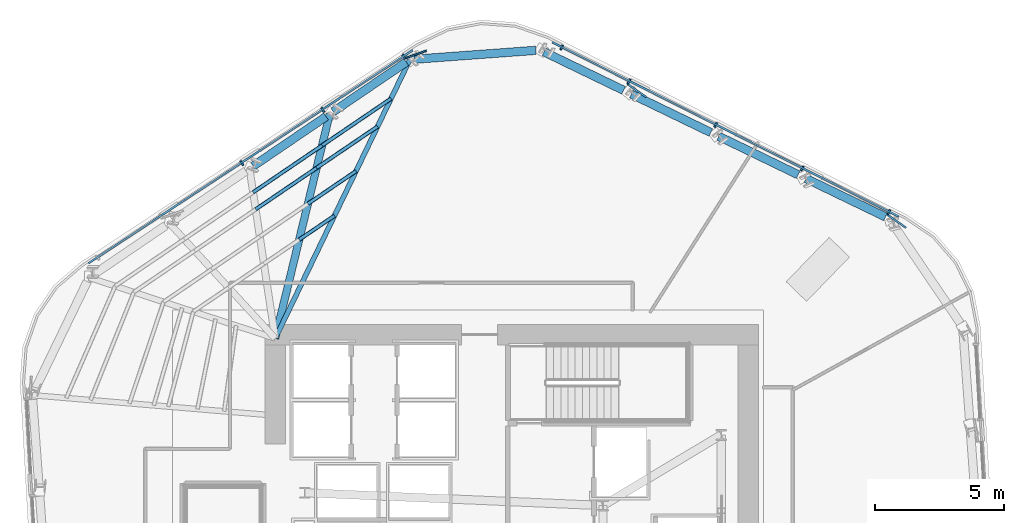
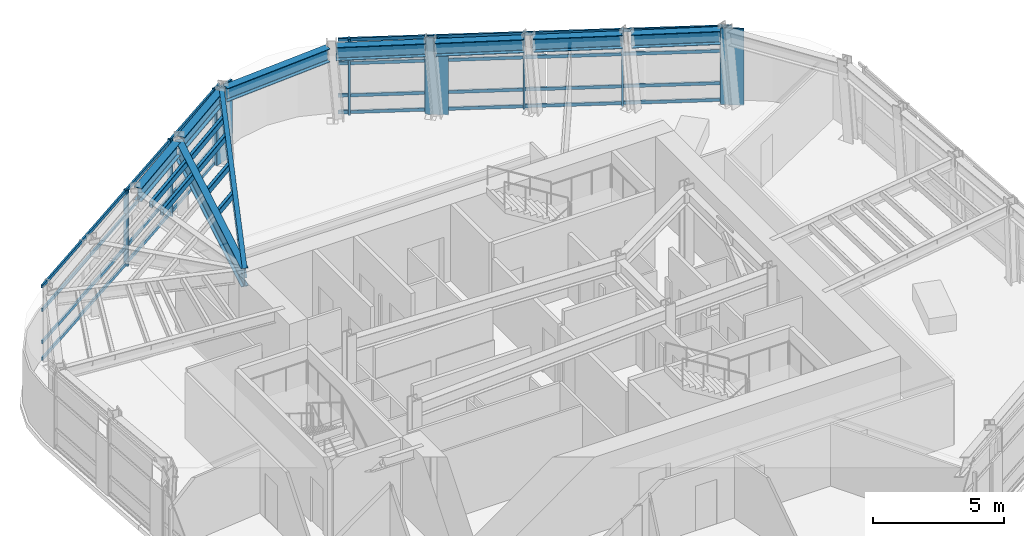
# One storey, part 6 of 15: 25 members, 9 beams, 2 elements without a shape of their own.
"""IFC4 building model written with IfcOpenShell, lengths in metres."""

from ifc_helpers import new_model, si_unit, direction, frame, origin, origin_2d, place, context, subcontext, project, spatial, rectangle, hollow_rectangle, i_section, extrude, material, layer, layer_set, material_profile, profile_set, type_object, element, aggregate, save


model = new_model("IFC4")

# Units and contexts
model_context = context("Model", 3, precision=1e-05, world=origin(), true_north=direction((0.0, 1.0)))
body_context = subcontext(model_context, "Body", "Model", "MODEL_VIEW")
ifc_project = project(units=[si_unit("LENGTHUNIT", "METRE"), si_unit("AREAUNIT", "SQUARE_METRE"), si_unit("VOLUMEUNIT", "CUBIC_METRE"), si_unit("PLANEANGLEUNIT", "RADIAN"), si_unit("MASSUNIT", "GRAM", prefix="KILO")], contexts=[model_context])

# Site, building, storey
site_placement = place(None, origin())
site = spatial("IfcSite", under=ifc_project, at=site_placement, CompositionType="ELEMENT")
building_placement = place(site_placement, origin())
building = spatial("IfcBuilding", under=site, at=building_placement, Name="Valkerne Bourse Tower", CompositionType="ELEMENT")
storey_placement = place(building_placement, frame((0.0, 0.0, 166.60009765625)))
storey = spatial("IfcBuildingStorey", under=building, at=storey_placement, Name="L42", CompositionType="ELEMENT", Elevation=166.60009765625)

# Beams
ifc_material_1 = material(Name="Steel ASTM A992", Category="steel")
ifc_material_profile_1 = material_profile(ifc_material_1, i_section(OverallWidth=0.1904296875, OverallDepth=0.457275390625, WebThickness=0.009033203125, FlangeThickness=0.014404296875, FilletRadius=0.01513671875, at=origin_2d()), Name="W18X50")
ifc_profile_set_1 = profile_set([ifc_material_profile_1], Name="Steel ASTM A992")
beam_type_1 = type_object("IfcBeamType", Name="BM-W18X50", PredefinedType="JOIST", material=ifc_profile_set_1)
beam_1_placement = place(storey_placement, frame((42.83984375, 46.2451171875, 3.351318359375), z_axis=(-0.435026799678, -0.90041750514, 0.0), x_axis=(0.90041750514, -0.435026799678, 0.0)))
element("IfcBeam", 1, at=beam_1_placement, inside=storey, type_object=beam_type_1, Name="L42 Radial Composite Floor Beam 05", PredefinedType="JOIST", context=body_context, shape_type="SweptSolid", body=[
    extrude(i_section(OverallWidth=0.1904296875, OverallDepth=0.457275390625, WebThickness=0.009033203125, FlangeThickness=0.014404296875, FilletRadius=0.01513671875, at=origin_2d()), origin(), (0.0, 0.0, 1.0), 12.044677734375),
])
ifc_material_profile_2 = material_profile(ifc_material_1, i_section(OverallWidth=0.32763671875, OverallDepth=0.62744140625, WebThickness=0.0166015625, FlangeThickness=0.027587890625, FilletRadius=0.020263671875, at=origin_2d()), Name="W24X146")
ifc_profile_set_2 = profile_set([ifc_material_profile_2], Name="Steel ASTM A992")
beam_type_2 = type_object("IfcBeamType", Name="BM-W24X146", PredefinedType="SPANDREL", material=ifc_profile_set_2)
for number, where, z_axis, x_axis, name in (
    (2, (61.33349609375, 40.126220703125, 3.26611328125), (-0.900324787912, 0.435218653404, 0.0), (-0.435218653404, -0.900324787912, 0.0), "L42 Hexagonal Spandrel Ring Beam 00"),
    (3, (57.9384765625, 41.767333984375, 3.26611328125), (-0.900296903464, 0.435276332476, 0.0), (-0.435276332476, -0.900296903464, 0.0), "L42 Hexagonal Spandrel Ring Beam 01"),
    (4, (54.54345703125, 43.40869140625, 3.26611328125), (-0.900324787912, 0.435218653404, 0.0), (-0.435218653404, -0.900324787912, 0.0), "L42 Hexagonal Spandrel Ring Beam 02"),
    (5, (51.148193359375, 45.0498046875, 3.26611328125), (-0.900296903464, 0.435276332476, 0.0), (-0.435276332476, -0.900296903464, 0.0), "L42 Hexagonal Spandrel Ring Beam 03"),
):
    element("IfcBeam", number, at=place(storey_placement, frame(where, z_axis=z_axis, x_axis=x_axis)), inside=storey, type_object=beam_type_2, Name=name, PredefinedType="SPANDREL", context=body_context, shape_type="SweptSolid", body=[
        extrude(i_section(OverallWidth=0.32763671875, OverallDepth=0.62744140625, WebThickness=0.0166015625, FlangeThickness=0.027587890625, FilletRadius=0.020263671875, at=origin_2d()), origin(), (0.0, 0.0, 1.0), 3.430908203125),
    ])
beam_2_placement = place(storey_placement, frame((47.73681640625, 46.604736328125, 3.26611328125), z_axis=(-0.997314489531, -0.073238029545, 0.0), x_axis=(0.073238029545, -0.997314489531, 0.0)))
element("IfcBeam", 6, at=beam_2_placement, inside=storey, type_object=beam_type_2, Name="L42 Hexagonal Spandrel Ring Beam 04", PredefinedType="SPANDREL", context=body_context, shape_type="SweptSolid", body=[
    extrude(i_section(OverallWidth=0.32763671875, OverallDepth=0.62744140625, WebThickness=0.0166015625, FlangeThickness=0.027587890625, FilletRadius=0.020263671875, at=origin_2d()), origin(), (0.0, 0.0, 1.0), 4.740234375),
])
for number, where, z_axis, x_axis, name in (
    (7, (42.69921875, 46.1494140625, 3.26611328125), (-0.827113080955, -0.56203554275, 0.0), (0.56203554275, -0.827113080955, 0.0), "L42 Hexagonal Spandrel Ring Beam 05"),
    (8, (39.580322265625, 44.02978515625, 3.26611328125), (-0.827113080955, -0.56203554275, 0.0), (0.56203554275, -0.827113080955, 0.0), "L42 Hexagonal Spandrel Ring Beam 06"),
):
    element("IfcBeam", number, at=place(storey_placement, frame(where, z_axis=z_axis, x_axis=x_axis)), inside=storey, type_object=beam_type_2, Name=name, PredefinedType="SPANDREL", context=body_context, shape_type="SweptSolid", body=[
        extrude(i_section(OverallWidth=0.32763671875, OverallDepth=0.62744140625, WebThickness=0.0166015625, FlangeThickness=0.027587890625, FilletRadius=0.020263671875, at=origin_2d()), origin(), (0.0, 0.0, 1.0), 3.4306640625),
    ])
ifc_material_profile_3 = material_profile(ifc_material_1, i_section(OverallWidth=0.2919921875, OverallDepth=0.8583984375, WebThickness=0.01708984375, FlangeThickness=0.031005859375, FilletRadius=0.025390625, at=origin_2d()), Name="W33X169")
ifc_profile_set_3 = profile_set([ifc_material_profile_3], Name="Steel ASTM A992")
beam_type_3 = type_object("IfcBeamType", Name="BM-W33X169", PredefinedType="BEAM", material=ifc_profile_set_3)
beam_3_placement = place(storey_placement, frame((39.720947265625, 44.12548828125, 3.150634765625), z_axis=(-0.236184377251, -0.971708258657, 0.0), x_axis=(0.971708258657, -0.236184377251, 0.0)))
element("IfcBeam", 9, at=beam_3_placement, inside=storey, type_object=beam_type_3, Name="L42 Radial Composite Floor Beam 06", PredefinedType="BEAM", context=body_context, shape_type="SweptSolid", body=[
    extrude(i_section(OverallWidth=0.2919921875, OverallDepth=0.8583984375, WebThickness=0.01708984375, FlangeThickness=0.031005859375, FilletRadius=0.025390625, at=origin_2d()), origin(), (0.0, 0.0, 1.0), 8.979736328125),
])

# Curtain wall, members
ifc_material_2 = material(Name="Aluminium AA 6063-T6", Category="aluminium")
ifc_layer = layer(ifc_material_2, 0.235107421875)
ifc_layer_set = layer_set([ifc_layer], Name="Aluminium AA 6063-T6")
curtain_wall_type = type_object("IfcCurtainWallType", Name="CW-03", PredefinedType="NOTDEFINED", material=ifc_layer_set)
curtain_wall_1_placement = place(storey_placement, origin())
curtain_wall_1 = element("IfcCurtainWall", 10, at=curtain_wall_1_placement, inside=storey, type_object=curtain_wall_type, Name="L42 Hexagonal Stick Curtain Wall Face 1", PredefinedType="NOTDEFINED")
ifc_material_profile_4 = material_profile(ifc_material_2, rectangle(XDim=0.074951171875, YDim=0.199951171875, at=origin_2d()), Name="CWM-75X200")
ifc_profile_set_4 = profile_set([ifc_material_profile_4], Name="Aluminium AA 6063-T6")
member_type_1 = type_object("IfcMemberType", Name="CW-MUL-220X75", PredefinedType="MULLION", material=ifc_profile_set_4)
member_1_placement = place(storey_placement, frame((61.467529296875, 40.3125, 0.0), z_axis=(0.0, 0.0, 1.0), x_axis=(-0.893369278637, 0.449323193244, 0.0)))
member_1 = element("IfcMember", 11, at=member_1_placement, type_object=member_type_1, Name="CW-L42-F1 Jamb Mullion 00A", PredefinedType="MULLION", context=body_context, shape_type="SweptSolid", body=[
    extrude(rectangle(XDim=0.074951171875, YDim=0.199951171875, at=origin_2d()), origin(), (0.0, 0.0, 1.0), 3.579833984375),
])
member_2_placement = place(storey_placement, frame((58.098388671875, 42.0068359375, 0.0), z_axis=(0.0, 0.0, 1.0), x_axis=(-0.893379923198, 0.449302028514, 0.0)))
member_2 = element("IfcMember", 12, at=member_2_placement, type_object=member_type_1, Name="CW-L42-F1 Jamb Mullion 01A", PredefinedType="MULLION", context=body_context, shape_type="SweptSolid", body=[
    extrude(rectangle(XDim=0.074951171875, YDim=0.199951171875, at=origin_2d()), origin(), (0.0, 0.0, 1.0), 3.579833984375),
])
member_3_placement = place(storey_placement, frame((54.729736328125, 43.701171875, 0.0), z_axis=(0.0, 0.0, 1.0), x_axis=(-0.893369278637, 0.449323193244, 0.0)))
member_3 = element("IfcMember", 13, at=member_3_placement, type_object=member_type_1, Name="CW-L42-F1 Jamb Mullion 02A", PredefinedType="MULLION", context=body_context, shape_type="SweptSolid", body=[
    extrude(rectangle(XDim=0.074951171875, YDim=0.199951171875, at=origin_2d()), origin(), (0.0, 0.0, 1.0), 3.579833984375),
])
member_4_placement = place(storey_placement, frame((51.36083984375, 45.3955078125, 0.0), z_axis=(0.0, 0.0, 1.0), x_axis=(-0.893369278637, 0.449323193244, 0.0)))
member_4 = element("IfcMember", 14, at=member_4_placement, type_object=member_type_1, Name="CW-L42-F1 Jamb Mullion 03A", PredefinedType="MULLION", context=body_context, shape_type="SweptSolid", body=[
    extrude(rectangle(XDim=0.074951171875, YDim=0.199951171875, at=origin_2d()), origin(), (0.0, 0.0, 1.0), 3.579833984375),
])
member_5_placement = place(storey_placement, frame((48.7421875, 46.71240234375, 0.0), z_axis=(0.0, 0.0, 1.0), x_axis=(-0.893369278637, 0.449323193244, 0.0)))
member_5 = element("IfcMember", 15, at=member_5_placement, type_object=member_type_1, Name="CW-L42-F1 Jamb Mullion 03B", PredefinedType="MULLION", context=body_context, shape_type="SweptSolid", body=[
    extrude(rectangle(XDim=0.074951171875, YDim=0.199951171875, at=origin_2d()), origin(), (0.0, 0.0, 1.0), 3.579833984375),
])

curtain_wall_2_placement = place(storey_placement, origin())
curtain_wall_2 = element("IfcCurtainWall", 16, at=curtain_wall_2_placement, inside=storey, type_object=curtain_wall_type, Name="L42 Hexagonal Stick Curtain Wall Face 2", PredefinedType="NOTDEFINED")
member_6_placement = place(storey_placement, frame((42.60498046875, 46.358642578125, 0.0), z_axis=(0.0, 0.0, 1.0), x_axis=(-0.835800745182, -0.549032890048, 0.0)))
member_6 = element("IfcMember", 17, at=member_6_placement, type_object=member_type_1, Name="CW-L42-F2 Jamb Mullion 00A", PredefinedType="MULLION", context=body_context, shape_type="SweptSolid", body=[
    extrude(rectangle(XDim=0.074951171875, YDim=0.199951171875, at=origin_2d()), origin(), (0.0, 0.0, 1.0), 3.579833984375),
])
member_7_placement = place(storey_placement, frame((39.453125, 44.2880859375, 0.0), z_axis=(0.0, 0.0, 1.0), x_axis=(-0.835800745182, -0.549032890048, 0.0)))
member_7 = element("IfcMember", 18, at=member_7_placement, type_object=member_type_1, Name="CW-L42-F2 Jamb Mullion 01A", PredefinedType="MULLION", context=body_context, shape_type="SweptSolid", body=[
    extrude(rectangle(XDim=0.074951171875, YDim=0.199951171875, at=origin_2d()), origin(), (0.0, 0.0, 1.0), 3.579833984375),
])
member_8_placement = place(storey_placement, frame((36.30126953125, 42.2177734375, 0.0), z_axis=(0.0, 0.0, 1.0), x_axis=(-0.835820906773, -0.549002196536, 0.0)))
member_8 = element("IfcMember", 19, at=member_8_placement, type_object=member_type_1, Name="CW-L42-F2 Jamb Mullion 02A", PredefinedType="MULLION", context=body_context, shape_type="SweptSolid", body=[
    extrude(rectangle(XDim=0.074951171875, YDim=0.199951171875, at=origin_2d()), origin(), (0.0, 0.0, 1.0), 3.579833984375),
])

# Member
ifc_material_profile_5 = material_profile(ifc_material_2, rectangle(XDim=0.074951171875, YDim=0.14990234375, at=origin_2d()), Name="CWT-75X150")
ifc_profile_set_5 = profile_set([ifc_material_profile_5], Name="Aluminium AA 6063-T6")
member_type_2 = type_object("IfcMemberType", Name="CW-TRN-180X65", PredefinedType="USERDEFINED", material=ifc_profile_set_5)
member_9_placement = place(storey_placement, frame((61.851806640625, 40.1416015625, 0.119873046875), z_axis=(-0.893375909627, 0.4493100089, 0.0), x_axis=(-0.4493100089, -0.893375909627, 0.0)))
member_9 = element("IfcMember", 20, at=member_9_placement, type_object=member_type_2, Name="CW-L42-F1 Continuous Face Transom 1", ObjectType="TRANSOM", PredefinedType="USERDEFINED", context=body_context, shape_type="SweptSolid", body=[
    extrude(rectangle(XDim=0.074951171875, YDim=0.14990234375, at=origin_2d()), origin(), (0.0, 0.0, 1.0), 15.083984375),
])

member_10_placement = place(storey_placement, frame((61.851806640625, 40.1416015625, 0.89990234375), z_axis=(-0.893375909627, 0.4493100089, 0.0), x_axis=(-0.4493100089, -0.893375909627, 0.0)))
member_10 = element("IfcMember", 21, at=member_10_placement, type_object=member_type_2, Name="CW-L42-F1 Continuous Face Transom 2", ObjectType="TRANSOM", PredefinedType="USERDEFINED", context=body_context, shape_type="SweptSolid", body=[
    extrude(rectangle(XDim=0.074951171875, YDim=0.14990234375, at=origin_2d()), origin(), (0.0, 0.0, 1.0), 15.083984375),
])

member_11_placement = place(storey_placement, frame((61.851806640625, 40.1416015625, 2.39990234375), z_axis=(-0.893375909627, 0.4493100089, 0.0), x_axis=(-0.4493100089, -0.893375909627, 0.0)))
member_11 = element("IfcMember", 22, at=member_11_placement, type_object=member_type_2, Name="CW-L42-F1 Continuous Face Transom 3", ObjectType="TRANSOM", PredefinedType="USERDEFINED", context=body_context, shape_type="SweptSolid", body=[
    extrude(rectangle(XDim=0.074951171875, YDim=0.14990234375, at=origin_2d()), origin(), (0.0, 0.0, 1.0), 15.083984375),
])

member_12_placement = place(storey_placement, frame((61.851806640625, 40.1416015625, 3.5), z_axis=(-0.893375909627, 0.4493100089, 0.0), x_axis=(-0.4493100089, -0.893375909627, 0.0)))
member_12 = element("IfcMember", 23, at=member_12_placement, type_object=member_type_2, Name="CW-L42-F1 Continuous Face Transom 4", ObjectType="TRANSOM", PredefinedType="USERDEFINED", context=body_context, shape_type="SweptSolid", body=[
    extrude(rectangle(XDim=0.074951171875, YDim=0.14990234375, at=origin_2d()), origin(), (0.0, 0.0, 1.0), 15.083984375),
])

aggregate(curtain_wall_1, [member_9, member_10, member_11, member_12, member_1, member_2, member_3, member_4, member_5])

member_13_placement = place(storey_placement, frame((42.945068359375, 46.60595703125, 0.119873046875), z_axis=(-0.835808399409, -0.549021237729, 0.0), x_axis=(0.549021237729, -0.835808399409, 0.0)))
member_13 = element("IfcMember", 24, at=member_13_placement, type_object=member_type_2, Name="CW-L42-F2 Continuous Face Transom 1", ObjectType="TRANSOM", PredefinedType="USERDEFINED", context=body_context, shape_type="SweptSolid", body=[
    extrude(rectangle(XDim=0.074951171875, YDim=0.14990234375, at=origin_2d()), origin(), (0.0, 0.0, 1.0), 15.083984375),
])

member_14_placement = place(storey_placement, frame((42.945068359375, 46.60595703125, 0.89990234375), z_axis=(-0.835808399409, -0.549021237729, 0.0), x_axis=(0.549021237729, -0.835808399409, 0.0)))
member_14 = element("IfcMember", 25, at=member_14_placement, type_object=member_type_2, Name="CW-L42-F2 Continuous Face Transom 2", ObjectType="TRANSOM", PredefinedType="USERDEFINED", context=body_context, shape_type="SweptSolid", body=[
    extrude(rectangle(XDim=0.074951171875, YDim=0.14990234375, at=origin_2d()), origin(), (0.0, 0.0, 1.0), 15.083984375),
])

member_15_placement = place(storey_placement, frame((42.945068359375, 46.60595703125, 2.39990234375), z_axis=(-0.835808399409, -0.549021237729, 0.0), x_axis=(0.549021237729, -0.835808399409, 0.0)))
member_15 = element("IfcMember", 26, at=member_15_placement, type_object=member_type_2, Name="CW-L42-F2 Continuous Face Transom 3", ObjectType="TRANSOM", PredefinedType="USERDEFINED", context=body_context, shape_type="SweptSolid", body=[
    extrude(rectangle(XDim=0.074951171875, YDim=0.14990234375, at=origin_2d()), origin(), (0.0, 0.0, 1.0), 15.083984375),
])

member_16_placement = place(storey_placement, frame((42.945068359375, 46.60595703125, 3.5), z_axis=(-0.835808399409, -0.549021237729, 0.0), x_axis=(0.549021237729, -0.835808399409, 0.0)))
member_16 = element("IfcMember", 27, at=member_16_placement, type_object=member_type_2, Name="CW-L42-F2 Continuous Face Transom 4", ObjectType="TRANSOM", PredefinedType="USERDEFINED", context=body_context, shape_type="SweptSolid", body=[
    extrude(rectangle(XDim=0.074951171875, YDim=0.14990234375, at=origin_2d()), origin(), (0.0, 0.0, 1.0), 15.083984375),
])

aggregate(curtain_wall_2, [member_13, member_14, member_15, member_16, member_6, member_7, member_8])

# Members
ifc_material_3 = material(Name="Bronze Anodised Aluminium AA 6063-T6", Category="aluminium")
ifc_material_profile_6 = material_profile(ifc_material_3, rectangle(XDim=0.070068359375, YDim=0.89990234375, at=origin_2d()), Name="FIN-70X900")
ifc_profile_set_6 = profile_set([ifc_material_profile_6], Name="Bronze Anodised Aluminium AA 6063-T6")
member_type_3 = type_object("IfcMemberType", Name="FIN-SOLAR-900", PredefinedType="USERDEFINED", material=ifc_profile_set_6)
for number, where, z_axis, x_axis, name in (
    (28, (61.76171875, 39.962890625, 0.00390625), (0.0, 0.0, 1.0), (0.573410588361, 0.819268147285, 0.0), "L42 Bronze Anodised Solar Fin F1-00"),
    (29, (51.655029296875, 45.0458984375, 0.00390625), (0.0, 0.0, 1.0), (0.573410588361, 0.819268147285, 0.0), "L42 Bronze Anodised Solar Fin F1-03"),
    (30, (43.0546875, 46.438720703125, 0.00390625), (0.0, 0.0, 1.0), (-0.331918393449, 0.94330810454, 0.0), "L42 Bronze Anodised Solar Fin F2-00"),
):
    element("IfcMember", number, at=place(storey_placement, frame(where, z_axis=z_axis, x_axis=x_axis)), inside=storey, type_object=member_type_3, Name=name, ObjectType="SOLAR_FIN", PredefinedType="USERDEFINED", context=body_context, shape_type="SweptSolid", body=[
        extrude(rectangle(XDim=0.070068359375, YDim=0.89990234375, at=origin_2d()), origin(), (0.0, 0.0, 1.0), 3.572021484375),
    ])
ifc_material_4 = material(Name="Steel ASTM A500 Grade C", Category="steel")
ifc_material_profile_7 = material_profile(ifc_material_4, hollow_rectangle(XDim=0.14990234375, YDim=0.300048828125, WallThickness=0.012451171875, OuterFilletRadius=0.02490234375, at=origin_2d()), Name="HSS300X150X12.5")
ifc_profile_set_7 = profile_set([ifc_material_profile_7], Name="Steel ASTM A500 Grade C")
member_type_4 = type_object("IfcMemberType", Name="MBR-HSS300X150X12.5", PredefinedType="PURLIN", material=ifc_profile_set_7)
member_17_placement = place(storey_placement, frame((39.905517578125, 40.171875, 3.419921875), z_axis=(-0.827082466014, -0.562080594231, 0.0), x_axis=(0.562080594231, -0.827082466014, 0.0)))
element("IfcMember", 31, at=member_17_placement, inside=storey, type_object=member_type_4, Name="L42 Secondary Composite Floor Purlin K-05", PredefinedType="PURLIN", context=body_context, shape_type="SweptSolid", body=[
    extrude(hollow_rectangle(XDim=0.14990234375, YDim=0.300048828125, WallThickness=0.012451171875, OuterFilletRadius=0.02490234375, at=origin_2d()), origin(), (0.0, 0.0, 1.0), 1.6591796875),
])
for number, where, z_axis, x_axis, name in (
    (32, (41.582275390625, 43.642333984375, 3.419921875), (-0.827089666449, -0.562069998891, 0.0), (0.562069998891, -0.827089666449, 0.0), "L42 Secondary Composite Floor Purlin O-05"),
    (33, (39.2119140625, 42.031494140625, 3.419921875), (-0.82705006393, -0.56212826984, 0.0), (0.56212826984, -0.82705006393, 0.0), "L42 Secondary Composite Floor Purlin O-06"),
):
    element("IfcMember", number, at=place(storey_placement, frame(where, z_axis=z_axis, x_axis=x_axis)), inside=storey, type_object=member_type_4, Name=name, PredefinedType="PURLIN", context=body_context, shape_type="SweptSolid", body=[
        extrude(hollow_rectangle(XDim=0.14990234375, YDim=0.300048828125, WallThickness=0.012451171875, OuterFilletRadius=0.02490234375, at=origin_2d()), origin(), (0.0, 0.0, 1.0), 2.865966796875),
    ])
member_18_placement = place(storey_placement, frame((40.743896484375, 41.906982421875, 3.419921875), z_axis=(-0.827087026291, -0.562073883881, 0.0), x_axis=(0.562073883881, -0.827087026291, 0.0)))
element("IfcMember", 34, at=member_18_placement, inside=storey, type_object=member_type_4, Name="L42 Secondary Composite Floor Purlin Z-05", PredefinedType="PURLIN", context=body_context, shape_type="SweptSolid", body=[
    extrude(hollow_rectangle(XDim=0.14990234375, YDim=0.300048828125, WallThickness=0.012451171875, OuterFilletRadius=0.02490234375, at=origin_2d()), origin(), (0.0, 0.0, 1.0), 2.262451171875),
])
member_19_placement = place(storey_placement, frame((42.106201171875, 44.726806640625, 3.419921875), z_axis=(-0.827048301167, -0.562130863355, 0.0), x_axis=(0.562130863355, -0.827048301167, 0.0)))
element("IfcMember", 35, at=member_19_placement, inside=storey, type_object=member_type_4, Name="L42 Secondary Composite Floor Purlin T-05", PredefinedType="PURLIN", context=body_context, shape_type="SweptSolid", body=[
    extrude(hollow_rectangle(XDim=0.14990234375, YDim=0.300048828125, WallThickness=0.012451171875, OuterFilletRadius=0.02490234375, at=origin_2d()), origin(), (0.0, 0.0, 1.0), 3.242919921875),
])
member_20_placement = place(storey_placement, frame((39.424072265625, 42.90380859375, 3.419921875), z_axis=(-0.82710708324, -0.562044369115, 0.0), x_axis=(0.562044369115, -0.82710708324, 0.0)))
element("IfcMember", 36, at=member_20_placement, inside=storey, type_object=member_type_4, Name="L42 Secondary Composite Floor Purlin T-06", PredefinedType="PURLIN", context=body_context, shape_type="SweptSolid", body=[
    extrude(hollow_rectangle(XDim=0.14990234375, YDim=0.300048828125, WallThickness=0.012451171875, OuterFilletRadius=0.02490234375, at=origin_2d()), origin(), (0.0, 0.0, 1.0), 3.2431640625),
])

save(model, "model.ifc")
